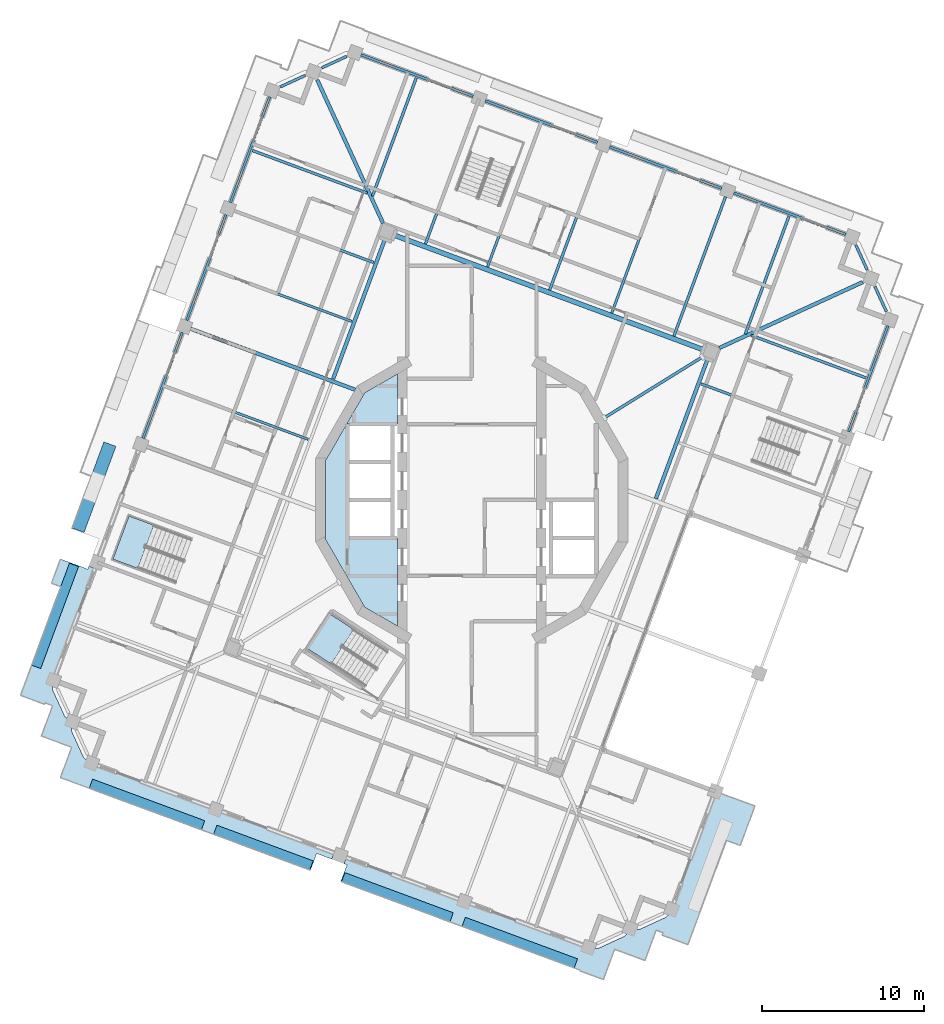
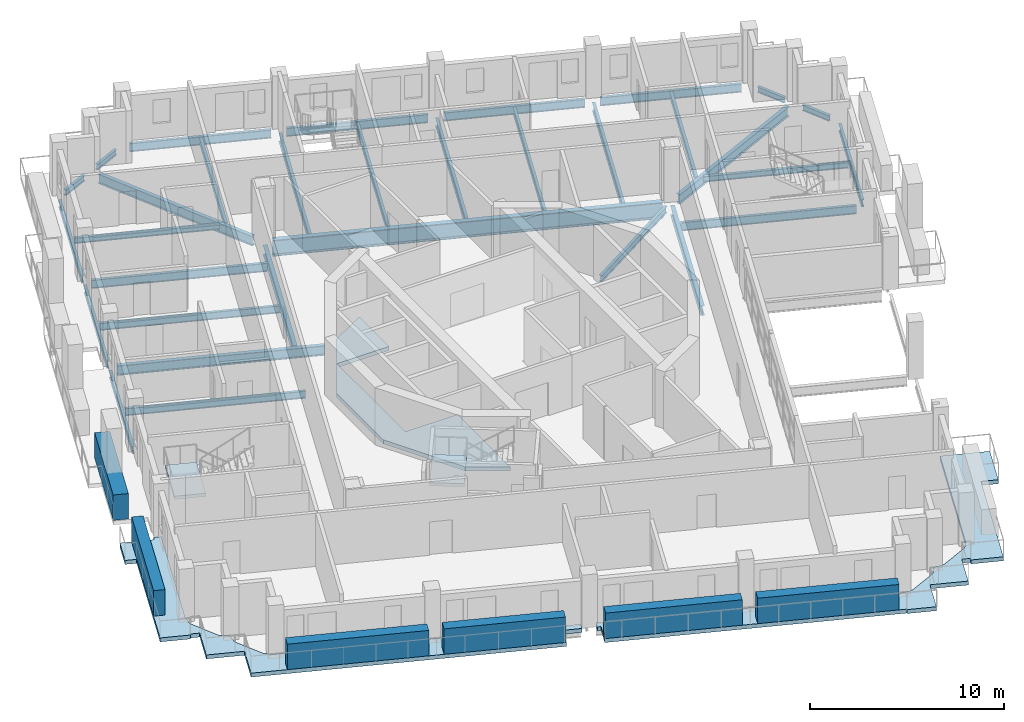
# One storey, part 3 of 19: 32 beams, 6 plates, 5 slabs, 2 elements without a shape of their own.
"""IFC4 building model written with IfcOpenShell, lengths in metres."""

from ifc_helpers import new_model, si_unit, direction, frame, origin, origin_2d, place, context, subcontext, project, spatial, polyline, rectangle, i_section, outline, extrude, material, layer, layer_set, material_profile, profile_set, type_object, element, aggregate, save


model = new_model("IFC4")

# Units and contexts
model_context = context("Model", 3, precision=1e-05, world=origin(), true_north=direction((0.0, 1.0)))
body_context = subcontext(model_context, "Body", "Model", "MODEL_VIEW")
ifc_project = project(units=[si_unit("LENGTHUNIT", "METRE"), si_unit("AREAUNIT", "SQUARE_METRE"), si_unit("VOLUMEUNIT", "CUBIC_METRE"), si_unit("PLANEANGLEUNIT", "RADIAN"), si_unit("MASSUNIT", "GRAM", prefix="KILO")], contexts=[model_context])

# Site, building, storey
site_placement = place(None, origin())
site = spatial("IfcSite", under=ifc_project, at=site_placement, CompositionType="ELEMENT")
building_placement = place(site_placement, origin())
building = spatial("IfcBuilding", under=site, at=building_placement, Name="Cantera Rosa Tower", CompositionType="ELEMENT")
storey_placement = place(building_placement, frame((0.0, 0.0, 331.300048828125)))
storey = spatial("IfcBuildingStorey", under=building, at=storey_placement, Name="L74", CompositionType="ELEMENT", Elevation=331.300048828125)

# Beams
ifc_material_1 = material(Name="Steel ASTM A992 (Fy 345 MPa)", Category="steel")
ifc_material_profile_1 = material_profile(ifc_material_1, i_section(OverallWidth=0.302001953125, OverallDepth=1.010009765625, WebThickness=0.02099609375, FlangeThickness=0.0400390625, FilletRadius=0.030029296875, at=origin_2d()), Name="W1000X350")
ifc_profile_set_1 = profile_set([ifc_material_profile_1], Name="Steel ASTM A992 (Fy 345 MPa)")
beam_type_1 = type_object("IfcBeamType", Name="STEEL BEAM W1000X350", PredefinedType="BEAM", material=ifc_profile_set_1)
beam_1_placement = place(storey_placement, frame((14.324951171875, 9.302001953125, -0.755126953125), z_axis=(-0.937687392162, 0.347480006017, 0.0), x_axis=(-0.347480006017, -0.937687392162, 0.0)))
element("IfcBeam", 1, at=beam_1_placement, inside=storey, type_object=beam_type_1, Name="RB-Z6-07 L74", PredefinedType="BEAM", context=body_context, shape_type="SweptSolid", body=[
    extrude(i_section(OverallWidth=0.302001953125, OverallDepth=1.010009765625, WebThickness=0.02099609375, FlangeThickness=0.0400390625, FilletRadius=0.030029296875, at=origin_2d()), origin(), (0.0, 0.0, 1.0), 20.400146484375),
])
ifc_material_2 = material(Name="Steel ASTM A992 (Fy 345 MPa)", Category="steel")
ifc_material_profile_2 = material_profile(ifc_material_2, i_section(OverallWidth=0.177978515625, OverallDepth=0.406005859375, WebThickness=0.0078125, FlangeThickness=0.0126953125, FilletRadius=0.01025390625, at=origin_2d()), Name="W410X60")
ifc_profile_set_2 = profile_set([ifc_material_profile_2], Name="Steel ASTM A992 (Fy 345 MPa)")
beam_type_2 = type_object("IfcBeamType", Name="STEEL BEAM W410X60", PredefinedType="BEAM", material=ifc_profile_set_2)
beam_2_placement = place(storey_placement, frame((14.262451171875, 8.84521484375, -0.453125), z_axis=(-0.849840939707, -0.527039255841, 0.0), x_axis=(0.527039255841, -0.849840939707, 0.0)))
element("IfcBeam", 2, at=beam_2_placement, inside=storey, type_object=beam_type_2, Name="PG-Z6-02 L74", PredefinedType="BEAM", context=body_context, shape_type="SweptSolid", body=[
    extrude(i_section(OverallWidth=0.177978515625, OverallDepth=0.406005859375, WebThickness=0.0078125, FlangeThickness=0.0126953125, FilletRadius=0.01025390625, at=origin_2d()), origin(), (0.0, 0.0, 1.0), 7.118408203125),
])
ifc_material_3 = material(Name="Steel ASTM A992 (Fy 345 MPa)", Category="steel")
ifc_material_profile_3 = material_profile(ifc_material_3, i_section(OverallWidth=0.166015625, OverallDepth=0.528076171875, WebThickness=0.009765625, FlangeThickness=0.013671875, FilletRadius=0.0126953125, at=origin_2d()), Name="W530X74")
ifc_profile_set_3 = profile_set([ifc_material_profile_3], Name="Steel ASTM A992 (Fy 345 MPa)")
beam_type_3 = type_object("IfcBeamType", Name="STEEL BEAM W530X74", PredefinedType="BEAM", material=ifc_profile_set_3)
for number, where, z_axis, x_axis, name in (
    (3, (15.698486328125, 18.764404296875, -0.51416015625), (-0.347476838353, -0.937688566, 0.0), (0.937688566, -0.347476838353, 0.0), "G-Z6-01 L74"),
    (4, (8.009521484375, 21.61376953125, -0.51416015625), (-0.34750017104, -0.937679919337, 0.0), (0.937679919337, -0.34750017104, 0.0), "G-Z6-02 L74"),
    (5, (0.3203125, 24.463134765625, -0.51416015625), (-0.347476838353, -0.937688566, 0.0), (0.937688566, -0.347476838353, 0.0), "G-Z6-03 L74"),
    (6, (-14.69873046875, 17.892333984375, -0.51416015625), (0.937688566, -0.347476838353, 0.0), (0.347476838353, 0.937688566, 0.0), "G-Z6-04 L74"),
    (7, (22.808837890625, 3.9931640625, -0.51416015625), (-0.937688566, 0.347476838353, 0.0), (-0.347476838353, -0.937688566, 0.0), "G-Z6-11 L74"),
):
    element("IfcBeam", number, at=place(storey_placement, frame(where, z_axis=z_axis, x_axis=x_axis)), inside=storey, type_object=beam_type_3, Name=name, PredefinedType="BEAM", context=body_context, shape_type="SweptSolid", body=[
        extrude(i_section(OverallWidth=0.166015625, OverallDepth=0.528076171875, WebThickness=0.009765625, FlangeThickness=0.013671875, FilletRadius=0.0126953125, at=origin_2d()), origin(), (0.0, 0.0, 1.0), 9.199951171875),
    ])
ifc_material_4 = material(Name="Steel ASTM A992 (Fy 345 MPa)", Category="steel")
ifc_material_profile_4 = material_profile(ifc_material_4, i_section(OverallWidth=0.22802734375, OverallDepth=0.60205078125, WebThickness=0.010498046875, FlangeThickness=0.014892578125, FilletRadius=0.0126953125, at=origin_2d()), Name="W610X101")
ifc_profile_set_4 = profile_set([ifc_material_profile_4], Name="Steel ASTM A992 (Fy 345 MPa)")
beam_type_4 = type_object("IfcBeamType", Name="STEEL BEAM W610X101", PredefinedType="BEAM", material=ifc_profile_set_4)
for number, where, z_axis, x_axis, name in (
    (8, (-9.56396484375, 25.992919921875, -0.551025390625), (0.417345508131, -0.908747889595, 0.0), (0.908747889595, 0.417345508131, 0.0), "CB-Z6-01 L74"),
    (9, (24.19287109375, 13.483642578125, -0.551025390625), (-0.908747889595, -0.417345508131, 0.0), (0.417345508131, -0.908747889595, 0.0), "CB-Z6-04 L74"),
):
    element("IfcBeam", number, at=place(storey_placement, frame(where, z_axis=z_axis, x_axis=x_axis)), inside=storey, type_object=beam_type_4, Name=name, PredefinedType="BEAM", context=body_context, shape_type="SweptSolid", body=[
        extrude(i_section(OverallWidth=0.22802734375, OverallDepth=0.60205078125, WebThickness=0.010498046875, FlangeThickness=0.014892578125, FilletRadius=0.0126953125, at=origin_2d()), origin(), (0.0, 0.0, 1.0), 9.758056640625),
    ])
for number, where, z_axis, x_axis, name in (
    (10, (-8.58251953125, 7.489013671875, -0.551025390625), (0.347474937304, 0.937689270465, 0.0), (-0.937689270465, 0.347474937304, 0.0), "RB-Z6-03 L74"),
    (11, (11.39013671875, 0.087646484375, -0.551025390625), (0.347498244979, 0.937680633125, 0.0), (-0.937680633125, 0.347498244979, 0.0), "RB-Z6-06 L74"),
):
    element("IfcBeam", number, at=place(storey_placement, frame(where, z_axis=z_axis, x_axis=x_axis)), inside=storey, type_object=beam_type_4, Name=name, PredefinedType="BEAM", context=body_context, shape_type="SweptSolid", body=[
        extrude(i_section(OverallWidth=0.22802734375, OverallDepth=0.60205078125, WebThickness=0.010498046875, FlangeThickness=0.014892578125, FilletRadius=0.0126953125, at=origin_2d()), origin(), (0.0, 0.0, 1.0), 9.2099609375),
    ])
ifc_material_5 = material(Name="Steel ASTM A992 (Fy 345 MPa)", Category="steel")
ifc_material_profile_5 = material_profile(ifc_material_5, i_section(OverallWidth=0.22900390625, OverallDepth=0.612060546875, WebThickness=0.011962890625, FlangeThickness=0.01953125, FilletRadius=0.0126953125, at=origin_2d()), Name="W610X125")
ifc_profile_set_5 = profile_set([ifc_material_profile_5], Name="Steel ASTM A992 (Fy 345 MPa)")
beam_type_5 = type_object("IfcBeamType", Name="STEEL BEAM W610X125", PredefinedType="BEAM", material=ifc_profile_set_5)
beam_3_placement = place(storey_placement, frame((-17.402099609375, 10.59716796875, -0.55615234375), z_axis=(0.937686127687, -0.347483418229, 0.0), x_axis=(0.347483418229, 0.937686127687, 0.0)))
element("IfcBeam", 12, at=beam_3_placement, inside=storey, type_object=beam_type_5, Name="G-Z6-05 L74", PredefinedType="BEAM", context=body_context, shape_type="SweptSolid", body=[
    extrude(i_section(OverallWidth=0.22900390625, OverallDepth=0.612060546875, WebThickness=0.011962890625, FlangeThickness=0.01953125, FilletRadius=0.0126953125, at=origin_2d()), origin(), (0.0, 0.0, 1.0), 10.8642578125),
])
ifc_material_6 = material(Name="Steel ASTM A992 (Fy 345 MPa)", Category="steel")
ifc_material_profile_6 = material_profile(ifc_material_6, i_section(OverallWidth=0.1708984375, OverallDepth=0.35595703125, WebThickness=0.00732421875, FlangeThickness=0.01171875, FilletRadius=0.010009765625, at=origin_2d()), Name="W360X51")
ifc_profile_set_6 = profile_set([ifc_material_profile_6], Name="Steel ASTM A992 (Fy 345 MPa)")
beam_type_6 = type_object("IfcBeamType", Name="STEEL JOIST W360X51", PredefinedType="JOIST", material=ifc_profile_set_6)
for number, where, z_axis, x_axis, name in (
    (13, (19.6298828125, 17.573974609375, -0.427978515625), (-0.347491728417, -0.937683048093, 0.0), (0.937683048093, -0.347491728417, 0.0), "B-Z6-01 L74"),
    (14, (-3.437255859375, 26.1220703125, -0.427978515625), (-0.347491728417, -0.937683048093, 0.0), (0.937683048093, -0.347491728417, 0.0), "B-Z6-04 L74"),
):
    element("IfcBeam", number, at=place(storey_placement, frame(where, z_axis=z_axis, x_axis=x_axis)), inside=storey, type_object=beam_type_6, Name=name, PredefinedType="JOIST", context=body_context, shape_type="SweptSolid", body=[
        extrude(i_section(OverallWidth=0.1708984375, OverallDepth=0.35595703125, WebThickness=0.00732421875, FlangeThickness=0.01171875, FilletRadius=0.010009765625, at=origin_2d()), origin(), (0.0, 0.0, 1.0), 7.800048828125),
    ])
beam_4_placement = place(storey_placement, frame((-13.581298828125, 21.626953125, -0.427978515625), z_axis=(0.93768239316, -0.347493495705, 0.0), x_axis=(0.347493495705, 0.93768239316, 0.0)))
element("IfcBeam", 15, at=beam_4_placement, inside=storey, type_object=beam_type_6, Name="B-Z6-05 L74", PredefinedType="JOIST", context=body_context, shape_type="SweptSolid", body=[
    extrude(i_section(OverallWidth=0.1708984375, OverallDepth=0.35595703125, WebThickness=0.00732421875, FlangeThickness=0.01171875, FilletRadius=0.010009765625, at=origin_2d()), origin(), (0.0, 0.0, 1.0), 7.58984375),
])
beam_5_placement = place(storey_placement, frame((24.39501953125, 7.553955078125, -0.427978515625), z_axis=(-0.937686277131, 0.347483014951, 0.0), x_axis=(-0.347483014951, -0.937686277131, 0.0)))
element("IfcBeam", 16, at=beam_5_placement, inside=storey, type_object=beam_type_6, Name="B-Z6-14 L74", PredefinedType="JOIST", context=body_context, shape_type="SweptSolid", body=[
    extrude(i_section(OverallWidth=0.1708984375, OverallDepth=0.35595703125, WebThickness=0.00732421875, FlangeThickness=0.01171875, FilletRadius=0.010009765625, at=origin_2d()), origin(), (0.0, 0.0, 1.0), 7.590087890625),
])
ifc_material_7 = material(Name="Steel ASTM A992 (Fy 345 MPa)", Category="steel")
ifc_material_profile_7 = material_profile(ifc_material_7, i_section(OverallWidth=0.154052734375, OverallDepth=0.4599609375, WebThickness=0.009033203125, FlangeThickness=0.015380859375, FilletRadius=0.01025390625, at=origin_2d()), Name="W460X68")
ifc_profile_set_7 = profile_set([ifc_material_profile_7], Name="Steel ASTM A992 (Fy 345 MPa)")
beam_type_7 = type_object("IfcBeamType", Name="STEEL JOIST W460X68", PredefinedType="JOIST", material=ifc_profile_set_7)
for number, where, z_axis, x_axis, name in (
    (17, (11.94091796875, 20.42333984375, -0.47998046875), (-0.347482637031, -0.937686417179, 0.0), (0.937686417179, -0.347482637031, 0.0), "B-Z6-02 L74"),
    (18, (4.251708984375, 23.272705078125, -0.47998046875), (-0.347482637031, -0.937686417179, 0.0), (0.937686417179, -0.347482637031, 0.0), "B-Z6-03 L74"),
    (19, (-16.28466796875, 14.331787109375, -0.47998046875), (0.937686417179, -0.347482637031, 0.0), (0.347482637031, 0.937686417179, 0.0), "B-Z6-06 L74"),
):
    element("IfcBeam", number, at=place(storey_placement, frame(where, z_axis=z_axis, x_axis=x_axis)), inside=storey, type_object=beam_type_7, Name=name, PredefinedType="JOIST", context=body_context, shape_type="SweptSolid", body=[
        extrude(i_section(OverallWidth=0.154052734375, OverallDepth=0.4599609375, WebThickness=0.009033203125, FlangeThickness=0.015380859375, FilletRadius=0.01025390625, at=origin_2d()), origin(), (0.0, 0.0, 1.0), 9.449951171875),
    ])
beam_6_placement = place(storey_placement, frame((-18.98828125, 7.036376953125, -0.47998046875), z_axis=(0.937689536508, -0.347474219364, 0.0), x_axis=(0.347474219364, 0.937689536508, 0.0)))
element("IfcBeam", 20, at=beam_6_placement, inside=storey, type_object=beam_type_7, Name="B-Z6-07 L74", PredefinedType="JOIST", context=body_context, shape_type="SweptSolid", body=[
    extrude(i_section(OverallWidth=0.154052734375, OverallDepth=0.4599609375, WebThickness=0.009033203125, FlangeThickness=0.015380859375, FilletRadius=0.01025390625, at=origin_2d()), origin(), (0.0, 0.0, 1.0), 9.4501953125),
])
ifc_material_8 = material(Name="Steel ASTM A992 (Fy 345 MPa)", Category="steel")
ifc_material_profile_8 = material_profile(ifc_material_8, i_section(OverallWidth=0.1708984375, OverallDepth=0.35595703125, WebThickness=0.00732421875, FlangeThickness=0.01171875, FilletRadius=0.010009765625, at=origin_2d()), Name="W360X51")
ifc_profile_set_8 = profile_set([ifc_material_profile_8], Name="Steel ASTM A992 (Fy 345 MPa)")
beam_type_8 = type_object("IfcBeamType", Name="STEEL SPANDREL BEAM W360X51", PredefinedType="SPANDREL", material=ifc_profile_set_8)
for number, where, z_axis, x_axis, name in (
    (21, (-7.74365234375, 27.451416015625, -0.427978515625), (-0.908753529973, -0.417333226286, 0.0), (0.417333226286, -0.908753529973, 0.0), "EB-Z6-05 L74"),
    (22, (-10.31396484375, 26.27099609375, -0.427978515625), (-0.908753529973, -0.417333226286, 0.0), (0.417333226286, -0.908753529973, 0.0), "EB-Z6-06 L74"),
):
    element("IfcBeam", number, at=place(storey_placement, frame(where, z_axis=z_axis, x_axis=x_axis)), inside=storey, type_object=beam_type_8, Name=name, PredefinedType="SPANDREL", context=body_context, shape_type="SweptSolid", body=[
        extrude(i_section(OverallWidth=0.1708984375, OverallDepth=0.35595703125, WebThickness=0.00732421875, FlangeThickness=0.01171875, FilletRadius=0.010009765625, at=origin_2d()), origin(), (0.0, 0.0, 1.0), 1.697021484375),
    ])
for number, where, z_axis, x_axis, name in (
    (23, (25.651123046875, 11.66357421875, -0.427978515625), (-0.417268968709, 0.908783036677, 0.0), (-0.908783036677, -0.417268968709, 0.0), "EB-Z6-25 L74"),
    (24, (24.470947265625, 14.23388671875, -0.427978515625), (-0.417387791404, 0.908728469669, 0.0), (-0.908728469669, -0.417387791404, 0.0), "EB-Z6-26 L74"),
):
    element("IfcBeam", number, at=place(storey_placement, frame(where, z_axis=z_axis, x_axis=x_axis)), inside=storey, type_object=beam_type_8, Name=name, PredefinedType="SPANDREL", context=body_context, shape_type="SweptSolid", body=[
        extrude(i_section(OverallWidth=0.1708984375, OverallDepth=0.35595703125, WebThickness=0.00732421875, FlangeThickness=0.01171875, FilletRadius=0.010009765625, at=origin_2d()), origin(), (0.0, 0.0, 1.0), 1.69677734375),
    ])
ifc_material_9 = material(Name="Steel ASTM A992 (Fy 345 MPa)", Category="steel")
ifc_material_profile_9 = material_profile(ifc_material_9, i_section(OverallWidth=0.154052734375, OverallDepth=0.4599609375, WebThickness=0.009033203125, FlangeThickness=0.015380859375, FilletRadius=0.01025390625, at=origin_2d()), Name="W460X68")
ifc_profile_set_9 = profile_set([ifc_material_profile_9], Name="Steel ASTM A992 (Fy 345 MPa)")
beam_type_9 = type_object("IfcBeamType", Name="STEEL SPANDREL BEAM W460X68", PredefinedType="SPANDREL", material=ifc_profile_set_9)
beam_7_placement = place(storey_placement, frame((-12.50927734375, 24.95166015625, -0.47998046875), z_axis=(-0.347490919506, -0.937683347864, 0.0), x_axis=(0.937683347864, -0.347490919506, 0.0)))
element("IfcBeam", 25, at=beam_7_placement, inside=storey, type_object=beam_type_9, Name="EB-Z6-07 L74", PredefinedType="SPANDREL", context=body_context, shape_type="SweptSolid", body=[
    extrude(i_section(OverallWidth=0.154052734375, OverallDepth=0.4599609375, WebThickness=0.009033203125, FlangeThickness=0.015380859375, FilletRadius=0.01025390625, at=origin_2d()), origin(), (0.0, 0.0, 1.0), 6.980224609375),
])
for number, where, z_axis, x_axis, name in (
    (26, (-15.212646484375, 17.65625, -0.47998046875), (-0.347502316452, -0.937679124253, 0.0), (0.937679124253, -0.347502316452, 0.0), "EB-Z6-08 L74"),
    (27, (-17.916015625, 10.361083984375, -0.47998046875), (-0.347502316452, -0.937679124253, 0.0), (0.937679124253, -0.347502316452, 0.0), "EB-Z6-09 L74"),
    (28, (23.322998046875, 4.229248046875, -0.47998046875), (0.347460165909, 0.937694744097, 0.0), (-0.937694744097, 0.347460165909, 0.0), "EB-Z6-24 L74"),
):
    element("IfcBeam", number, at=place(storey_placement, frame(where, z_axis=z_axis, x_axis=x_axis)), inside=storey, type_object=beam_type_9, Name=name, PredefinedType="SPANDREL", context=body_context, shape_type="SweptSolid", body=[
        extrude(i_section(OverallWidth=0.154052734375, OverallDepth=0.4599609375, WebThickness=0.009033203125, FlangeThickness=0.015380859375, FilletRadius=0.01025390625, at=origin_2d()), origin(), (0.0, 0.0, 1.0), 6.97998046875),
    ])
ifc_material_10 = material(Name="Steel ASTM A992 (Fy 345 MPa)", Category="steel")
ifc_material_profile_10 = material_profile(ifc_material_10, i_section(OverallWidth=0.166015625, OverallDepth=0.528076171875, WebThickness=0.009765625, FlangeThickness=0.013671875, FilletRadius=0.0126953125, at=origin_2d()), Name="W530X74")
ifc_profile_set_10 = profile_set([ifc_material_profile_10], Name="Steel ASTM A992 (Fy 345 MPa)")
beam_type_10 = type_object("IfcBeamType", Name="STEEL SPANDREL BEAM W530X74", PredefinedType="SPANDREL", material=ifc_profile_set_10)
beam_8_placement = place(storey_placement, frame((23.1513671875, 16.428955078125, -0.51416015625), z_axis=(-0.937676706507, 0.347508840281, 0.0), x_axis=(-0.347508840281, -0.937676706507, 0.0)))
element("IfcBeam", 29, at=beam_8_placement, inside=storey, type_object=beam_type_10, Name="EB-Z6-01 L74", PredefinedType="SPANDREL", context=body_context, shape_type="SweptSolid", body=[
    extrude(i_section(OverallWidth=0.166015625, OverallDepth=0.528076171875, WebThickness=0.009765625, FlangeThickness=0.013671875, FilletRadius=0.0126953125, at=origin_2d()), origin(), (0.0, 0.0, 1.0), 7.39990234375),
])
for number, where, z_axis, x_axis, name in (
    (30, (15.46240234375, 19.2783203125, -0.51416015625), (-0.937680690562, 0.34749808999, 0.0), (-0.34749808999, -0.937680690562, 0.0), "EB-Z6-02 L74"),
    (31, (7.7734375, 22.127685546875, -0.51416015625), (-0.937680690562, 0.34749808999, 0.0), (-0.34749808999, -0.937680690562, 0.0), "EB-Z6-03 L74"),
):
    element("IfcBeam", number, at=place(storey_placement, frame(where, z_axis=z_axis, x_axis=x_axis)), inside=storey, type_object=beam_type_10, Name=name, PredefinedType="SPANDREL", context=body_context, shape_type="SweptSolid", body=[
        extrude(i_section(OverallWidth=0.166015625, OverallDepth=0.528076171875, WebThickness=0.009765625, FlangeThickness=0.013671875, FilletRadius=0.0126953125, at=origin_2d()), origin(), (0.0, 0.0, 1.0), 7.400146484375),
    ])
beam_9_placement = place(storey_placement, frame((0.084228515625, 24.97705078125, -0.51416015625), z_axis=(-0.937687456783, 0.347479831633, 0.0), x_axis=(-0.347479831633, -0.937687456783, 0.0)))
element("IfcBeam", 32, at=beam_9_placement, inside=storey, type_object=beam_type_10, Name="EB-Z6-04 L74", PredefinedType="SPANDREL", context=body_context, shape_type="SweptSolid", body=[
    extrude(i_section(OverallWidth=0.166015625, OverallDepth=0.528076171875, WebThickness=0.009765625, FlangeThickness=0.013671875, FilletRadius=0.0126953125, at=origin_2d()), origin(), (0.0, 0.0, 1.0), 7.39990234375),
])

# Slabs
ifc_material_11 = material(Name="Concrete C35/45", Category="concrete")
ifc_layer_1 = layer(ifc_material_11, 0.25)
ifc_layer_set_1 = layer_set([ifc_layer_1], Name="COMPOSITE FLOOR SLAB 250 C35/45")
slab_type_1 = type_object("IfcSlabType", Name="COMPOSITE FLOOR SLAB 250 C35/45", PredefinedType="FLOOR", material=ifc_layer_set_1)
slab_1_placement = place(storey_placement, frame((0.0, 0.0, -0.25)))
element("IfcSlab", 33, at=slab_1_placement, inside=storey, type_object=slab_type_1, Name="SLAB L74 floor 1", PredefinedType="FLOOR", context=body_context, shape_type="SweptSolid", body=[
    extrude(outline(polyline([(-7.699951171875, -2.35009765625), (-4.60009765625, -2.35009765625), (-4.60009765625, -7.804931640625), (-6.6318359375, -6.6318359375), (-9.059326171875, -2.427490234375), (-9.059326171875, 2.427490234375), (-6.6318359375, 6.6318359375), (-4.60009765625, 7.804931640625), (-4.60009765625, 4.699951171875), (-7.699951171875, 4.699951171875), (-7.699951171875, 2.35009765625), (-7.699951171875, 0.0), (-7.699951171875, -2.35009765625)])), origin(), (0.0, 0.0, 1.0), 0.25),
])
ifc_material_12 = material(Name="Concrete C35/45", Category="concrete")
ifc_layer_2 = layer(ifc_material_12, 0.25)
ifc_layer_set_2 = layer_set([ifc_layer_2], Name="LOGGIA SLAB 250 C35/45")
slab_type_2 = type_object("IfcSlabType", Name="LOGGIA SLAB 250 C35/45", PredefinedType="FLOOR", material=ifc_layer_set_2)
slab_2_placement = place(storey_placement, frame((0.0, 0.0, -0.25)))
element("IfcSlab", 34, at=slab_2_placement, inside=storey, type_object=slab_type_2, Name="LOGGIA SLAB L74 1", PredefinedType="FLOOR", context=body_context, shape_type="SweptSolid", body=[
    extrude(outline(polyline([(-17.76513671875, -20.024658203125), (-24.047607421875, -17.696533203125), (-25.454345703125, -17.17529296875), (-24.93310546875, -15.768798828125), (-24.75927734375, -15.300048828125), (-25.22802734375, -15.126220703125), (-26.634765625, -14.60498046875), (-26.11328125, -13.198486328125), (-25.939697265625, -12.729736328125), (-26.408447265625, -12.555908203125), (-26.439697265625, -12.639892578125), (-27.930419921875, -12.087646484375), (-25.439208984375, -5.364990234375), (-26.01171875, -5.15283203125), (-25.45556640625, -3.652099609375), (-23.767578125, -4.27783203125), (-23.697998046875, -4.09033203125), (-23.322998046875, -4.229248046875), (-25.88720703125, -11.1494140625), (-25.947509765625, -11.6162109375), (-25.95068359375, -11.6455078125), (-25.950927734375, -11.6748046875), (-25.948486328125, -11.7041015625), (-25.943115234375, -11.733154296875), (-25.934814453125, -11.76123046875), (-25.923828125, -11.788818359375), (-25.215576171875, -13.330810546875), (-25.201904296875, -13.35693359375), (-25.18603515625, -13.381591796875), (-25.16748046875, -13.404541015625), (-25.14697265625, -13.42578125), (-25.12451171875, -13.444580078125), (-25.10009765625, -13.461181640625), (-24.706787109375, -13.7197265625), (-24.76708984375, -14.186279296875), (-24.770263671875, -14.2158203125), (-24.7705078125, -14.2451171875), (-24.76806640625, -14.2744140625), (-24.7626953125, -14.303466796875), (-24.75439453125, -14.331787109375), (-24.743408203125, -14.35888671875), (-24.03515625, -15.901123046875), (-24.021484375, -15.92724609375), (-24.005615234375, -15.951904296875), (-23.987060546875, -15.974853515625), (-23.966552734375, -15.99609375), (-23.944091796875, -16.014892578125), (-23.919677734375, -16.031494140625), (-23.526611328125, -16.2900390625), (-8.5234375, -21.849853515625), (-8.66259765625, -22.224853515625), (-9.60009765625, -21.87744140625), (-9.982421875, -22.90869140625), (-10.076171875, -22.8740234375), (-14.9521484375, -21.067138671875), (-17.76513671875, -20.024658203125)])), origin(), (0.0, 0.0, 1.0), 0.25),
])
slab_3_placement = place(storey_placement, frame((0.0, 0.0, -0.25)))
element("IfcSlab", 35, at=slab_3_placement, inside=storey, type_object=slab_type_2, Name="LOGGIA SLAB L74 3", PredefinedType="FLOOR", context=body_context, shape_type="SweptSolid", body=[
    extrude(outline(polyline([(11.779541015625, -26.920654296875), (11.833251953125, -26.776123046875), (11.4072265625, -26.618408203125), (11.24951171875, -27.044189453125), (10.71240234375, -28.49365234375), (9.2626953125, -27.95654296875), (8.8369140625, -27.798583984375), (8.14208984375, -29.674072265625), (6.6923828125, -29.136962890625), (6.70849609375, -29.093994140625), (0.42578125, -26.765869140625), (-2.38720703125, -25.723388671875), (-7.26318359375, -23.91650390625), (-8.10693359375, -23.603759765625), (-7.724853515625, -22.572265625), (-7.912353515625, -22.502685546875), (-7.7734375, -22.127685546875), (6.25048828125, -27.32470703125), (7.2294921875, -27.6875), (7.6962890625, -27.74755859375), (7.7255859375, -27.750732421875), (7.7548828125, -27.751220703125), (7.784423828125, -27.74853515625), (7.813232421875, -27.7431640625), (7.841552734375, -27.735107421875), (7.868896484375, -27.72412109375), (9.4111328125, -27.015625), (9.437255859375, -27.002197265625), (9.4619140625, -26.986083984375), (9.48486328125, -26.9677734375), (9.505859375, -26.947021484375), (9.52490234375, -26.924560546875), (9.54150390625, -26.900146484375), (9.800048828125, -26.507080078125), (10.2666015625, -26.567138671875), (10.2958984375, -26.5703125), (10.325439453125, -26.57080078125), (10.354736328125, -26.568115234375), (10.383544921875, -26.562744140625), (10.411865234375, -26.554443359375), (10.439208984375, -26.543701171875), (11.9814453125, -25.835205078125), (12.007568359375, -25.82177734375), (12.0322265625, -25.8056640625), (12.05517578125, -25.787353515625), (12.076171875, -25.7666015625), (12.09521484375, -25.744140625), (12.11181640625, -25.7197265625), (12.370361328125, -25.32666015625), (12.733154296875, -24.347412109375), (15.07373046875, -18.031494140625), (17.516845703125, -18.936767578125), (16.611328125, -21.3798828125), (15.762451171875, -21.065185546875), (13.373779296875, -27.511474609375), (11.779541015625, -26.920654296875)])), origin(), (0.0, 0.0, 1.0), 0.25),
])

# Plates
ifc_material_13 = material(Name="Cantera stone planter with soil", Category="masonry")
plate_type_1 = type_object("IfcPlateType", Name="PLANTER 600", PredefinedType="USERDEFINED", material=ifc_material_13)
plate_1_placement = place(storey_placement, frame((-25.788330078125, -7.1708984375, 0.0), z_axis=(0.0, 0.0, 1.0), x_axis=(-0.347481234489, -0.937686936924, 0.0)))
element("IfcPlate", 36, at=plate_1_placement, inside=storey, type_object=plate_type_1, Name="PLANTER L74-09", ObjectType="PLANTER", PredefinedType="USERDEFINED", context=body_context, shape_type="SweptSolid", body=[
    extrude(rectangle(XDim=6.72998046875, YDim=0.60009765625, at=origin_2d()), origin(), (0.0, 0.0, 1.0), 1.60009765625),
])
plate_2_placement = place(storey_placement, frame((-20.098876953125, -18.83984375, 0.0), z_axis=(0.0, 0.0, 1.0), x_axis=(0.937686936924, -0.347481234489, 0.0)))
element("IfcPlate", 37, at=plate_2_placement, inside=storey, type_object=plate_type_1, Name="PLANTER L74-10", ObjectType="PLANTER", PredefinedType="USERDEFINED", context=body_context, shape_type="SweptSolid", body=[
    extrude(rectangle(XDim=7.39990234375, YDim=0.60009765625, at=origin_2d()), origin(), (0.0, 0.0, 1.0), 1.60009765625),
])
plate_3_placement = place(storey_placement, frame((-12.902099609375, -21.5068359375, 0.0), z_axis=(0.0, 0.0, 1.0), x_axis=(0.937686936924, -0.347481234489, 0.0)))
element("IfcPlate", 38, at=plate_3_placement, inside=storey, type_object=plate_type_1, Name="PLANTER L74-11", ObjectType="PLANTER", PredefinedType="USERDEFINED", context=body_context, shape_type="SweptSolid", body=[
    extrude(rectangle(XDim=6.35009765625, YDim=0.60009765625, at=origin_2d()), origin(), (0.0, 0.0, 1.0), 1.60009765625),
])
plate_4_placement = place(storey_placement, frame((-4.603759765625, -24.58203125, 0.0), z_axis=(0.0, 0.0, 1.0), x_axis=(0.937686936924, -0.347481234489, 0.0)))
element("IfcPlate", 39, at=plate_4_placement, inside=storey, type_object=plate_type_1, Name="PLANTER L74-12", ObjectType="PLANTER", PredefinedType="USERDEFINED", context=body_context, shape_type="SweptSolid", body=[
    extrude(rectangle(XDim=7.14990234375, YDim=0.60009765625, at=origin_2d()), origin(), (0.0, 0.0, 1.0), 1.60009765625),
])
plate_5_placement = place(storey_placement, frame((2.968017578125, -27.387939453125, 0.0), z_axis=(0.0, 0.0, 1.0), x_axis=(0.937686936924, -0.347481234489, 0.0)))
element("IfcPlate", 40, at=plate_5_placement, inside=storey, type_object=plate_type_1, Name="PLANTER L74-13", ObjectType="PLANTER", PredefinedType="USERDEFINED", context=body_context, shape_type="SweptSolid", body=[
    extrude(rectangle(XDim=7.39990234375, YDim=0.60009765625, at=origin_2d()), origin(), (0.0, 0.0, 1.0), 1.60009765625),
])
ifc_material_14 = material(Name="Cantera stone planter with soil", Category="masonry")
plate_type_2 = type_object("IfcPlateType", Name="PLANTER 800", PredefinedType="USERDEFINED", material=ifc_material_14)
plate_6_placement = place(storey_placement, frame((-23.38134765625, 0.7939453125, 0.0), z_axis=(0.0, 0.0, 1.0), x_axis=(-0.347481234489, -0.937686936924, 0.0)))
element("IfcPlate", 41, at=plate_6_placement, inside=storey, type_object=plate_type_2, Name="PLANTER L74-08", ObjectType="PLANTER", PredefinedType="USERDEFINED", context=body_context, shape_type="SweptSolid", body=[
    extrude(rectangle(XDim=5.679931640625, YDim=0.800048828125, at=origin_2d()), origin(), (0.0, 0.0, 1.0), 1.60009765625),
])

# Stair, slab
ifc_material_15 = material(Name="Concrete C35/45", Category="concrete")
stair_type_1 = type_object("IfcStairType", Name="EXIT STAIR 1350 DOGLEG", PredefinedType="HALF_TURN_STAIR", material=ifc_material_15)
stair_1_placement = place(storey_placement, origin())
stair_1 = element("IfcStair", 42, at=stair_1_placement, inside=storey, type_object=stair_type_1, Name="L74 ST-63", PredefinedType="HALF_TURN_STAIR")
ifc_material_16 = material(Name="Concrete C35/45", Category="concrete")
ifc_layer_3 = layer(ifc_material_16, 0.199951171875)
ifc_layer_set_3 = layer_set([ifc_layer_3], Name="STAIR LANDING 200")
slab_type_3 = type_object("IfcSlabType", Name="STAIR LANDING 200", PredefinedType="LANDING", material=ifc_layer_set_3)
slab_4_placement = place(storey_placement, frame((0.0, 0.0, 1.599853515625)))
slab_4 = element("IfcSlab", 43, at=slab_4_placement, type_object=slab_type_3, Name="ST-63 landing 1", PredefinedType="LANDING", context=body_context, shape_type="SweptSolid", body=[
    extrude(outline(polyline([(-19.67626953125, -1.56005859375), (-21.2158203125, -0.989501953125), (-22.206298828125, -3.661865234375), (-20.66650390625, -4.232421875), (-19.67626953125, -1.56005859375)])), origin(), (0.0, 0.0, 1.0), 0.2001953125),
])
aggregate(stair_1, [slab_4])

ifc_material_17 = material(Name="Concrete C35/45", Category="concrete")
stair_type_2 = type_object("IfcStairType", Name="EXIT STAIR 1200 DOGLEG", PredefinedType="HALF_TURN_STAIR", material=ifc_material_17)
stair_2_placement = place(storey_placement, origin())
stair_2 = element("IfcStair", 44, at=stair_2_placement, inside=storey, type_object=stair_type_2, Name="L74 ST-64", PredefinedType="HALF_TURN_STAIR")
slab_5_placement = place(storey_placement, frame((0.0, 0.0, 1.599853515625)))
slab_5 = element("IfcSlab", 45, at=slab_5_placement, type_object=slab_type_3, Name="ST-64 landing 1", PredefinedType="LANDING", context=body_context, shape_type="SweptSolid", body=[
    extrude(outline(polyline([(-7.30908203125, -8.009033203125), (-8.81201171875, -7.032958984375), (-10.20068359375, -9.171630859375), (-8.69775390625, -10.1474609375), (-7.30908203125, -8.009033203125)])), origin(), (0.0, 0.0, 1.0), 0.2001953125),
])
aggregate(stair_2, [slab_5])

save(model, "model.ifc")
